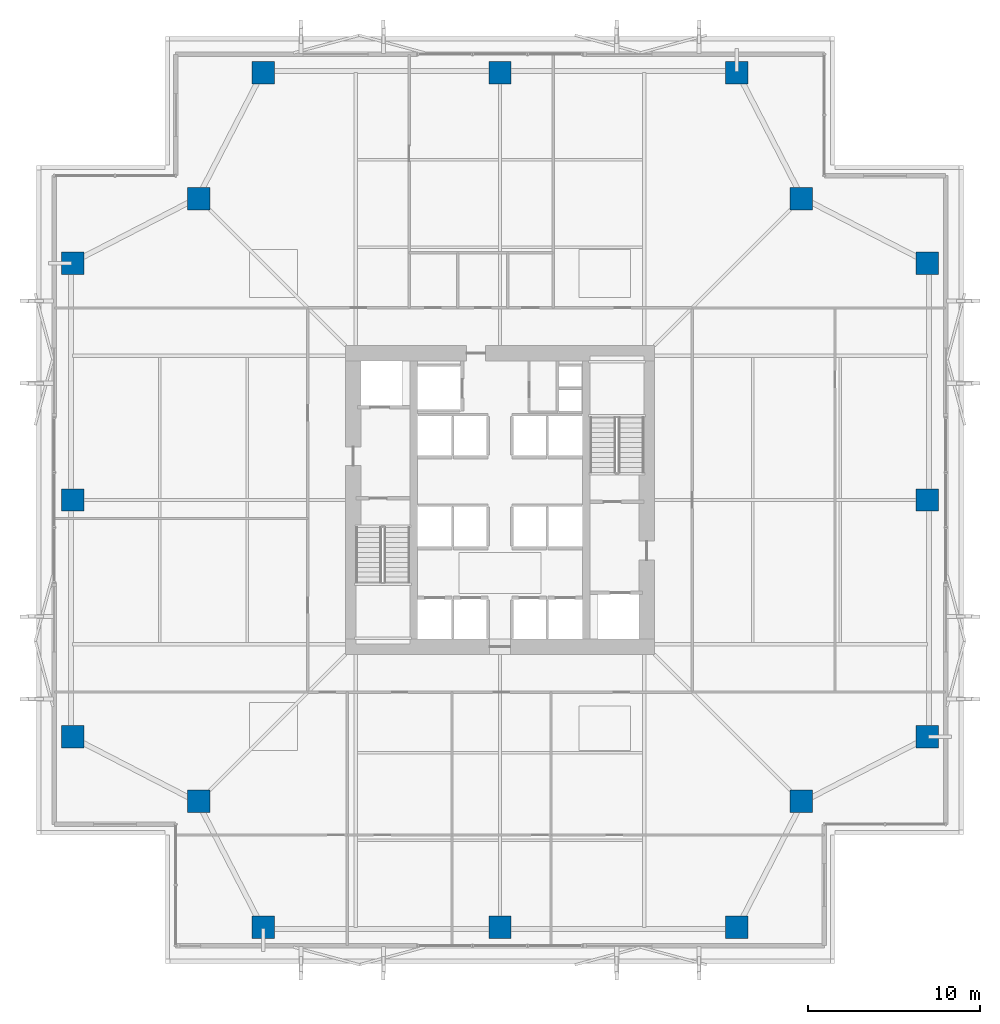
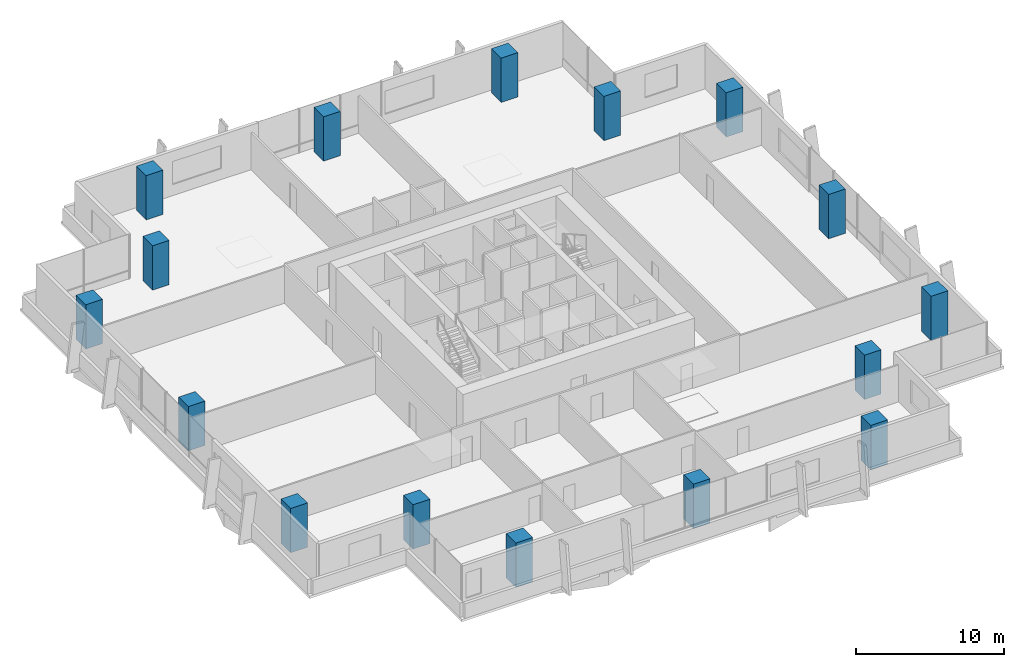
# One storey, part 1 of 34: 16 columns.
"""IFC4 building model written with IfcOpenShell, lengths in metres."""

from ifc_helpers import new_model, si_unit, direction, frame, origin, origin_2d, place, context, subcontext, project, spatial, rectangle, extrude, material, material_profile, profile_set, type_object, element, save


model = new_model("IFC4")

# Units and contexts
model_context = context("Model", 3, precision=1e-05, world=origin(), true_north=direction((0.0, 1.0)))
body_context = subcontext(model_context, "Body", "Model", "MODEL_VIEW")
ifc_project = project(units=[si_unit("LENGTHUNIT", "METRE"), si_unit("AREAUNIT", "SQUARE_METRE"), si_unit("VOLUMEUNIT", "CUBIC_METRE"), si_unit("PLANEANGLEUNIT", "RADIAN"), si_unit("MASSUNIT", "GRAM", prefix="KILO")], contexts=[model_context])

# Site, building, storey
site_placement = place(None, origin())
site = spatial("IfcSite", under=ifc_project, at=site_placement, CompositionType="ELEMENT")
building_placement = place(site_placement, origin())
building = spatial("IfcBuilding", under=site, at=building_placement, Name="Belovzor Exchange Tower", CompositionType="ELEMENT")
storey_placement = place(building_placement, frame((0.0, 0.0, 113.39990234375)))
storey = spatial("IfcBuildingStorey", under=building, at=storey_placement, Name="L27", CompositionType="ELEMENT", Elevation=113.39990234375)

# Columns
ifc_material = material(Name="Concrete C60/75", Category="concrete")
ifc_material_profile = material_profile(ifc_material, rectangle(XDim=1.300048828125, YDim=1.300048828125, at=origin_2d()))
ifc_profile_set = profile_set([ifc_material_profile], Name="Concrete C60/75")
column_type = type_object("IfcColumnType", Name="Reinforced Concrete Tower Column 1300x1300", PredefinedType="COLUMN", material=ifc_profile_set)
for number, where, z_axis, x_axis, name in (
    (1, (15.0, 3.89990234375, 0.003173828125), (0.0, 0.0, 1.0), (1.0, 0.0, 0.0), "COL-T130 Reinforced Concrete Tower Column 1300x1300"),
    (2, (28.800048828125, 3.89990234375, 0.003173828125), (0.0, 0.0, 1.0), (1.0, 0.0, 0.0), "COL-T130 Reinforced Concrete Tower Column 1300x1300"),
    (3, (42.60009765625, 3.89990234375, 0.003173828125), (0.0, 0.0, 1.0), (1.0, 0.0, 0.0), "COL-T130 Reinforced Concrete Tower Column 1300x1300"),
    (4, (53.699951171875, 15.0, 0.003173828125), (0.0, 0.0, 1.0), (1.0, 0.0, 0.0), "COL-T130 Reinforced Concrete Tower Column 1300x1300"),
    (5, (53.699951171875, 28.800048828125, 0.003173828125), (0.0, 0.0, 1.0), (1.0, 0.0, 0.0), "COL-T130 Reinforced Concrete Tower Column 1300x1300"),
    (6, (53.699951171875, 42.60009765625, 0.003173828125), (0.0, 0.0, 1.0), (1.0, 0.0, 0.0), "COL-T130 Reinforced Concrete Tower Column 1300x1300"),
    (7, (42.60009765625, 53.699951171875, 0.003173828125), (0.0, 0.0, 1.0), (1.0, 0.0, 0.0), "COL-T130 Reinforced Concrete Tower Column 1300x1300"),
    (8, (28.800048828125, 53.699951171875, 0.003173828125), (0.0, 0.0, 1.0), (1.0, 0.0, 0.0), "COL-T130 Reinforced Concrete Tower Column 1300x1300"),
    (9, (15.0, 53.699951171875, 0.003173828125), (0.0, 0.0, 1.0), (1.0, 0.0, 0.0), "COL-T130 Reinforced Concrete Tower Column 1300x1300"),
    (10, (3.89990234375, 42.60009765625, 0.003173828125), (0.0, 0.0, 1.0), (1.0, 0.0, 0.0), "COL-T130 Reinforced Concrete Tower Column 1300x1300"),
    (11, (3.89990234375, 28.800048828125, 0.003173828125), (0.0, 0.0, 1.0), (1.0, 0.0, 0.0), "COL-T130 Reinforced Concrete Tower Column 1300x1300"),
    (12, (3.89990234375, 15.0, 0.003173828125), (0.0, 0.0, 1.0), (1.0, 0.0, 0.0), "COL-T130 Reinforced Concrete Tower Column 1300x1300"),
    (13, (11.25, 11.25, 0.003173828125), (0.0, 0.0, 1.0), (1.0, 0.0, 0.0), "COL-T130 Reinforced Concrete Tower Column 1300x1300"),
    (14, (46.35009765625, 11.25, 0.003173828125), (0.0, 0.0, 1.0), (1.0, 0.0, 0.0), "COL-T130 Reinforced Concrete Tower Column 1300x1300"),
    (15, (46.35009765625, 46.35009765625, 0.003173828125), (0.0, 0.0, 1.0), (1.0, 0.0, 0.0), "COL-T130 Reinforced Concrete Tower Column 1300x1300"),
    (16, (11.25, 46.35009765625, 0.003173828125), (0.0, 0.0, 1.0), (1.0, 0.0, 0.0), "COL-T130 Reinforced Concrete Tower Column 1300x1300"),
):
    element("IfcColumn", number, at=place(storey_placement, frame(where, z_axis=z_axis, x_axis=x_axis)), inside=storey, type_object=column_type, Name=name, PredefinedType="COLUMN", context=body_context, shape_type="SweptSolid", body=[
        extrude(rectangle(XDim=1.300048828125, YDim=1.300048828125, at=origin_2d()), origin(), (0.0, 0.0, 1.0), 3.64404296875),
    ])

save(model, "model.ifc")
